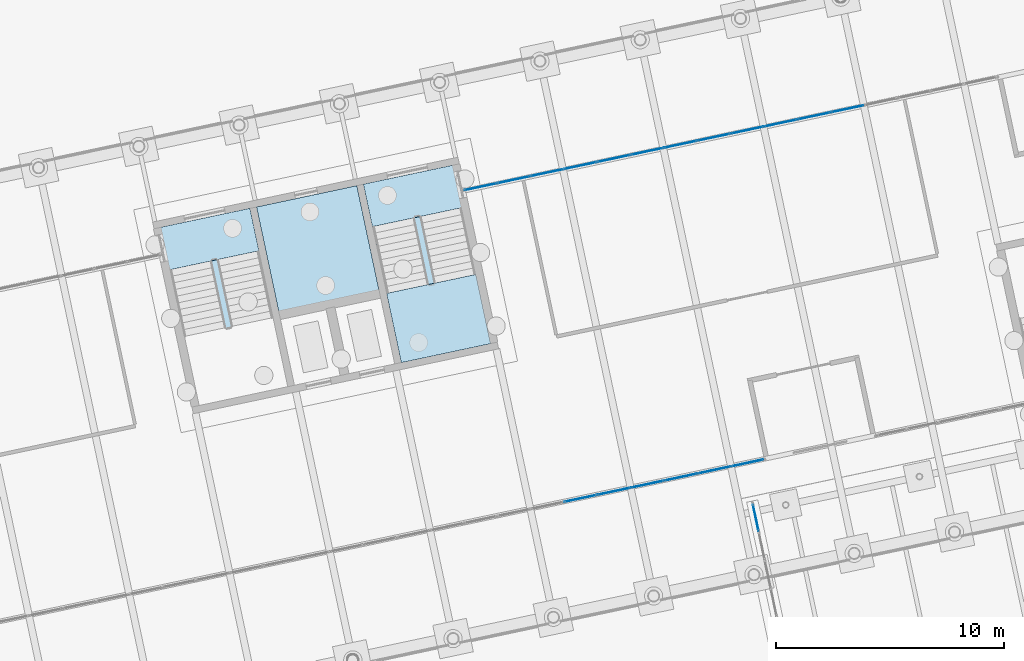
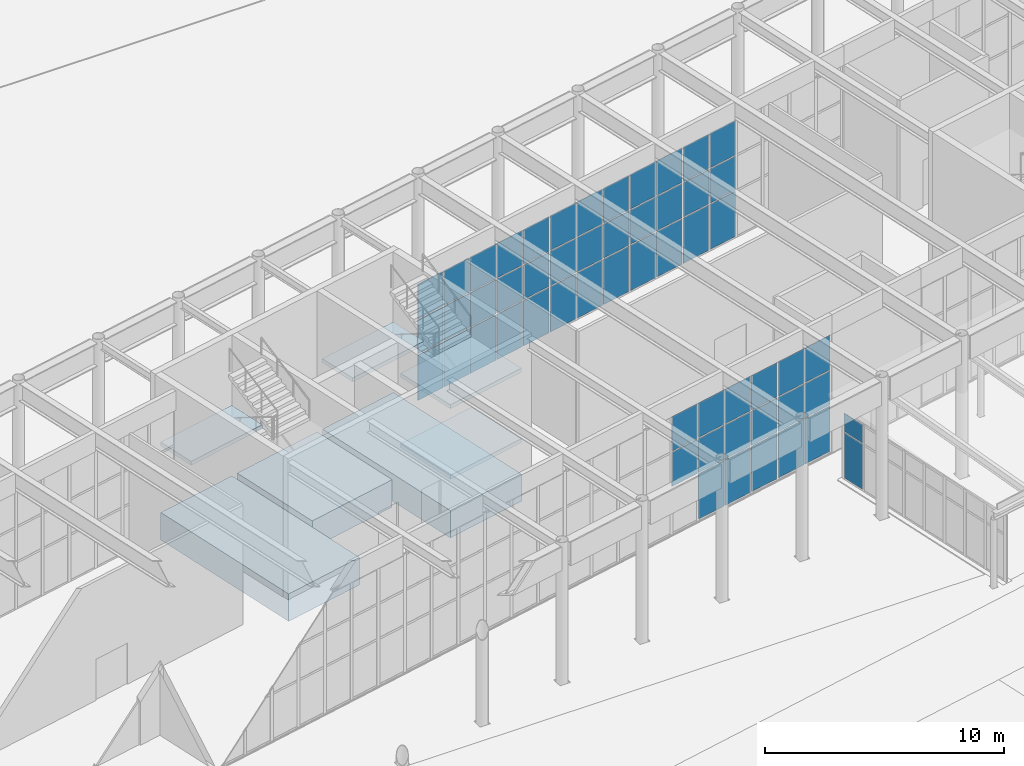
# One storey, part 142 of 239: 55 plates, 7 slabs, 5 elements without a shape of their own.
"""IFC4 building model written with IfcOpenShell, lengths in metres."""

from ifc_helpers import new_model, si_unit, direction, frame, origin, origin_2d, place, context, subcontext, project, spatial, polyline, rectangle, outline, extrude, material, layer, layer_set, type_object, element, aggregate, save


model = new_model("IFC4")

# Units and contexts
model_context = context("Model", 3, precision=1e-05, world=origin(), true_north=direction((0.0, 1.0)))
body_context = subcontext(model_context, "Body", "Model", "MODEL_VIEW")
ifc_project = project(units=[si_unit("LENGTHUNIT", "METRE"), si_unit("AREAUNIT", "SQUARE_METRE"), si_unit("VOLUMEUNIT", "CUBIC_METRE"), si_unit("PLANEANGLEUNIT", "RADIAN"), si_unit("MASSUNIT", "GRAM", prefix="KILO")], contexts=[model_context])

# Site, building, storey
site_placement = place(None, origin())
site = spatial("IfcSite", under=ifc_project, at=site_placement, CompositionType="ELEMENT")
building_placement = place(site_placement, origin())
building = spatial("IfcBuilding", under=site, at=building_placement, Name="Okhra Congress Centre", CompositionType="ELEMENT")
storey_placement = place(building_placement, origin())
storey = spatial("IfcBuildingStorey", under=building, at=storey_placement, Name="L00", CompositionType="ELEMENT", Elevation=0.0)

# Curtain wall, plates
ifc_material_1 = material(Name="Aluminium curtain wall, triple glazing", Category="aluminium")
curtain_wall_type_1 = type_object("IfcCurtainWallType", Name="Curtain wall 1500 module", PredefinedType="NOTDEFINED", material=ifc_material_1)
curtain_wall_1_placement = place(storey_placement, origin())
curtain_wall_1 = element("IfcCurtainWall", 1, at=curtain_wall_1_placement, inside=storey, type_object=curtain_wall_type_1, Name="Ground curtain wall S2", PredefinedType="NOTDEFINED")
ifc_material_2 = material(Name="Triple glazing unit, low-e coating, argon fill", Category="glass")
ifc_layer_1 = layer(ifc_material_2, 0.028076171875)
ifc_layer_set_1 = layer_set([ifc_layer_1], Name="Curtain wall glazing unit 28")
plate_type = type_object("IfcPlateType", Name="Curtain wall glazing unit 28", PredefinedType="CURTAIN_PANEL", material=ifc_layer_set_1)
plate_1_placement = place(storey_placement, frame((115.0224609375, 43.253173828125, 2.43017578125), z_axis=(0.0, 0.0, 1.0), x_axis=(0.978147600734, 0.207911690818, 0.0)))
plate_1 = element("IfcPlate", 2, at=plate_1_placement, type_object=plate_type, Name="CW7 panel 18.2", PredefinedType="CURTAIN_PANEL", context=body_context, shape_type="SweptSolid", body=[
    extrude(rectangle(XDim=1.43994140625, YDim=0.028076171875, at=origin_2d()), origin(), (0.0, 0.0, 1.0), 1.739990234375),
])
plate_2_placement = place(storey_placement, frame((115.0224609375, 43.253173828125, 4.22998046875), z_axis=(0.0, 0.0, 1.0), x_axis=(0.978147600734, 0.207911690818, 0.0)))
plate_2 = element("IfcPlate", 3, at=plate_2_placement, type_object=plate_type, Name="CW7 panel 18.3", PredefinedType="CURTAIN_PANEL", context=body_context, shape_type="SweptSolid", body=[
    extrude(rectangle(XDim=1.43994140625, YDim=0.028076171875, at=origin_2d()), origin(), (0.0, 0.0, 1.0), 1.760009765625),
])
plate_3_placement = place(storey_placement, frame((116.489501953125, 43.56494140625, 0.06005859375), z_axis=(0.0, 0.0, 1.0), x_axis=(0.978147600734, 0.207911690818, 0.0)))
plate_3 = element("IfcPlate", 4, at=plate_3_placement, type_object=plate_type, Name="CW7 panel 19.1", PredefinedType="CURTAIN_PANEL", context=body_context, shape_type="SweptSolid", body=[
    extrude(rectangle(XDim=1.43994140625, YDim=0.028076171875, at=origin_2d()), origin(), (0.0, 0.0, 1.0), 2.31005859375),
])
plate_4_placement = place(storey_placement, frame((116.489501953125, 43.56494140625, 2.43017578125), z_axis=(0.0, 0.0, 1.0), x_axis=(0.978147600734, 0.207911690818, 0.0)))
plate_4 = element("IfcPlate", 5, at=plate_4_placement, type_object=plate_type, Name="CW7 panel 19.2", PredefinedType="CURTAIN_PANEL", context=body_context, shape_type="SweptSolid", body=[
    extrude(rectangle(XDim=1.43994140625, YDim=0.028076171875, at=origin_2d()), origin(), (0.0, 0.0, 1.0), 1.739990234375),
])
plate_5_placement = place(storey_placement, frame((116.489501953125, 43.56494140625, 4.22998046875), z_axis=(0.0, 0.0, 1.0), x_axis=(0.978147600734, 0.207911690818, 0.0)))
plate_5 = element("IfcPlate", 6, at=plate_5_placement, type_object=plate_type, Name="CW7 panel 19.3", PredefinedType="CURTAIN_PANEL", context=body_context, shape_type="SweptSolid", body=[
    extrude(rectangle(XDim=1.43994140625, YDim=0.028076171875, at=origin_2d()), origin(), (0.0, 0.0, 1.0), 1.760009765625),
])
plate_6_placement = place(storey_placement, frame((117.956787109375, 43.876953125, 0.06005859375), z_axis=(0.0, 0.0, 1.0), x_axis=(0.978147600734, 0.207911690818, 0.0)))
plate_6 = element("IfcPlate", 7, at=plate_6_placement, type_object=plate_type, Name="CW7 panel 20.1", PredefinedType="CURTAIN_PANEL", context=body_context, shape_type="SweptSolid", body=[
    extrude(rectangle(XDim=1.43994140625, YDim=0.028076171875, at=origin_2d()), origin(), (0.0, 0.0, 1.0), 2.31005859375),
])
plate_7_placement = place(storey_placement, frame((117.956787109375, 43.876953125, 2.43017578125), z_axis=(0.0, 0.0, 1.0), x_axis=(0.978147600734, 0.207911690818, 0.0)))
plate_7 = element("IfcPlate", 8, at=plate_7_placement, type_object=plate_type, Name="CW7 panel 20.2", PredefinedType="CURTAIN_PANEL", context=body_context, shape_type="SweptSolid", body=[
    extrude(rectangle(XDim=1.43994140625, YDim=0.028076171875, at=origin_2d()), origin(), (0.0, 0.0, 1.0), 1.739990234375),
])
plate_8_placement = place(storey_placement, frame((117.956787109375, 43.876953125, 4.22998046875), z_axis=(0.0, 0.0, 1.0), x_axis=(0.978147600734, 0.207911690818, 0.0)))
plate_8 = element("IfcPlate", 9, at=plate_8_placement, type_object=plate_type, Name="CW7 panel 20.3", PredefinedType="CURTAIN_PANEL", context=body_context, shape_type="SweptSolid", body=[
    extrude(rectangle(XDim=1.43994140625, YDim=0.028076171875, at=origin_2d()), origin(), (0.0, 0.0, 1.0), 1.760009765625),
])
plate_9_placement = place(storey_placement, frame((119.424072265625, 44.188720703125, 0.06005859375), z_axis=(0.0, 0.0, 1.0), x_axis=(0.978147600734, 0.207911690818, 0.0)))
plate_9 = element("IfcPlate", 10, at=plate_9_placement, type_object=plate_type, Name="CW7 panel 21.1", PredefinedType="CURTAIN_PANEL", context=body_context, shape_type="SweptSolid", body=[
    extrude(rectangle(XDim=1.43994140625, YDim=0.028076171875, at=origin_2d()), origin(), (0.0, 0.0, 1.0), 2.31005859375),
])
plate_10_placement = place(storey_placement, frame((119.424072265625, 44.188720703125, 2.43017578125), z_axis=(0.0, 0.0, 1.0), x_axis=(0.978147600734, 0.207911690818, 0.0)))
plate_10 = element("IfcPlate", 11, at=plate_10_placement, type_object=plate_type, Name="CW7 panel 21.2", PredefinedType="CURTAIN_PANEL", context=body_context, shape_type="SweptSolid", body=[
    extrude(rectangle(XDim=1.43994140625, YDim=0.028076171875, at=origin_2d()), origin(), (0.0, 0.0, 1.0), 1.739990234375),
])
plate_11_placement = place(storey_placement, frame((119.424072265625, 44.188720703125, 4.22998046875), z_axis=(0.0, 0.0, 1.0), x_axis=(0.978147600734, 0.207911690818, 0.0)))
plate_11 = element("IfcPlate", 12, at=plate_11_placement, type_object=plate_type, Name="CW7 panel 21.3", PredefinedType="CURTAIN_PANEL", context=body_context, shape_type="SweptSolid", body=[
    extrude(rectangle(XDim=1.43994140625, YDim=0.028076171875, at=origin_2d()), origin(), (0.0, 0.0, 1.0), 1.760009765625),
])
plate_12_placement = place(storey_placement, frame((120.891357421875, 44.500732421875, 0.06005859375), z_axis=(0.0, 0.0, 1.0), x_axis=(0.978147600734, 0.207911690818, 0.0)))
plate_12 = element("IfcPlate", 13, at=plate_12_placement, type_object=plate_type, Name="CW7 panel 22.1", PredefinedType="CURTAIN_PANEL", context=body_context, shape_type="SweptSolid", body=[
    extrude(rectangle(XDim=1.43994140625, YDim=0.028076171875, at=origin_2d()), origin(), (0.0, 0.0, 1.0), 2.31005859375),
])
plate_13_placement = place(storey_placement, frame((120.891357421875, 44.500732421875, 2.43017578125), z_axis=(0.0, 0.0, 1.0), x_axis=(0.978147600734, 0.207911690818, 0.0)))
plate_13 = element("IfcPlate", 14, at=plate_13_placement, type_object=plate_type, Name="CW7 panel 22.2", PredefinedType="CURTAIN_PANEL", context=body_context, shape_type="SweptSolid", body=[
    extrude(rectangle(XDim=1.43994140625, YDim=0.028076171875, at=origin_2d()), origin(), (0.0, 0.0, 1.0), 1.739990234375),
])
plate_14_placement = place(storey_placement, frame((120.891357421875, 44.500732421875, 4.22998046875), z_axis=(0.0, 0.0, 1.0), x_axis=(0.978147600734, 0.207911690818, 0.0)))
plate_14 = element("IfcPlate", 15, at=plate_14_placement, type_object=plate_type, Name="CW7 panel 22.3", PredefinedType="CURTAIN_PANEL", context=body_context, shape_type="SweptSolid", body=[
    extrude(rectangle(XDim=1.43994140625, YDim=0.028076171875, at=origin_2d()), origin(), (0.0, 0.0, 1.0), 1.760009765625),
])
plate_15_placement = place(storey_placement, frame((122.34375, 44.809326171875, 0.06005859375), z_axis=(0.0, 0.0, 1.0), x_axis=(0.978147600734, 0.207911690818, 0.0)))
plate_15 = element("IfcPlate", 16, at=plate_15_placement, type_object=plate_type, Name="CW7 panel 23.1", PredefinedType="CURTAIN_PANEL", context=body_context, shape_type="SweptSolid", body=[
    extrude(rectangle(XDim=1.409912109375, YDim=0.028076171875, at=origin_2d()), origin(), (0.0, 0.0, 1.0), 2.31005859375),
])
plate_16_placement = place(storey_placement, frame((122.34375, 44.809326171875, 2.43017578125), z_axis=(0.0, 0.0, 1.0), x_axis=(0.978147600734, 0.207911690818, 0.0)))
plate_16 = element("IfcPlate", 17, at=plate_16_placement, type_object=plate_type, Name="CW7 panel 23.2", PredefinedType="CURTAIN_PANEL", context=body_context, shape_type="SweptSolid", body=[
    extrude(rectangle(XDim=1.409912109375, YDim=0.028076171875, at=origin_2d()), origin(), (0.0, 0.0, 1.0), 1.739990234375),
])
plate_17_placement = place(storey_placement, frame((122.34375, 44.809326171875, 4.22998046875), z_axis=(0.0, 0.0, 1.0), x_axis=(0.978147600734, 0.207911690818, 0.0)))
plate_17 = element("IfcPlate", 18, at=plate_17_placement, type_object=plate_type, Name="CW7 panel 23.3", PredefinedType="CURTAIN_PANEL", context=body_context, shape_type="SweptSolid", body=[
    extrude(rectangle(XDim=1.409912109375, YDim=0.028076171875, at=origin_2d()), origin(), (0.0, 0.0, 1.0), 1.760009765625),
])
aggregate(curtain_wall_1, [plate_1, plate_2, plate_3, plate_4, plate_5, plate_6, plate_7, plate_8, plate_9, plate_10, plate_11, plate_12, plate_13, plate_14, plate_15, plate_16, plate_17])

curtain_wall_2_placement = place(storey_placement, origin())
curtain_wall_2 = element("IfcCurtainWall", 19, at=curtain_wall_2_placement, inside=storey, type_object=curtain_wall_type_1, Name="Ground curtain wall N8", PredefinedType="NOTDEFINED")
plate_18_placement = place(storey_placement, frame((110.63671875, 56.93017578125, 0.06005859375), z_axis=(0.0, 0.0, 1.0), x_axis=(0.978147600734, 0.207911690818, 0.0)))
plate_18 = element("IfcPlate", 20, at=plate_18_placement, type_object=plate_type, Name="CW7 panel 1.1", PredefinedType="CURTAIN_PANEL", context=body_context, shape_type="SweptSolid", body=[
    extrude(rectangle(XDim=1.407470703125, YDim=0.028076171875, at=origin_2d()), origin(), (0.0, 0.0, 1.0), 2.31005859375),
])
plate_19_placement = place(storey_placement, frame((110.63671875, 56.93017578125, 2.43017578125), z_axis=(0.0, 0.0, 1.0), x_axis=(0.978147600734, 0.207911690818, 0.0)))
plate_19 = element("IfcPlate", 21, at=plate_19_placement, type_object=plate_type, Name="CW7 panel 1.2", PredefinedType="CURTAIN_PANEL", context=body_context, shape_type="SweptSolid", body=[
    extrude(rectangle(XDim=1.407470703125, YDim=0.028076171875, at=origin_2d()), origin(), (0.0, 0.0, 1.0), 1.739990234375),
])
plate_20_placement = place(storey_placement, frame((110.63671875, 56.93017578125, 4.22998046875), z_axis=(0.0, 0.0, 1.0), x_axis=(0.978147600734, 0.207911690818, 0.0)))
plate_20 = element("IfcPlate", 22, at=plate_20_placement, type_object=plate_type, Name="CW7 panel 1.3", PredefinedType="CURTAIN_PANEL", context=body_context, shape_type="SweptSolid", body=[
    extrude(rectangle(XDim=1.407470703125, YDim=0.028076171875, at=origin_2d()), origin(), (0.0, 0.0, 1.0), 1.760009765625),
])
plate_21_placement = place(storey_placement, frame((112.086669921875, 57.238525390625, 0.06005859375), z_axis=(0.0, 0.0, 1.0), x_axis=(0.978147600734, 0.207911690818, 0.0)))
plate_21 = element("IfcPlate", 23, at=plate_21_placement, type_object=plate_type, Name="CW7 panel 2.1", PredefinedType="CURTAIN_PANEL", context=body_context, shape_type="SweptSolid", body=[
    extrude(rectangle(XDim=1.4375, YDim=0.028076171875, at=origin_2d()), origin(), (0.0, 0.0, 1.0), 2.31005859375),
])
plate_22_placement = place(storey_placement, frame((112.086669921875, 57.238525390625, 2.43017578125), z_axis=(0.0, 0.0, 1.0), x_axis=(0.978147600734, 0.207911690818, 0.0)))
plate_22 = element("IfcPlate", 24, at=plate_22_placement, type_object=plate_type, Name="CW7 panel 2.2", PredefinedType="CURTAIN_PANEL", context=body_context, shape_type="SweptSolid", body=[
    extrude(rectangle(XDim=1.4375, YDim=0.028076171875, at=origin_2d()), origin(), (0.0, 0.0, 1.0), 1.739990234375),
])
plate_23_placement = place(storey_placement, frame((112.086669921875, 57.238525390625, 4.22998046875), z_axis=(0.0, 0.0, 1.0), x_axis=(0.978147600734, 0.207911690818, 0.0)))
plate_23 = element("IfcPlate", 25, at=plate_23_placement, type_object=plate_type, Name="CW7 panel 2.3", PredefinedType="CURTAIN_PANEL", context=body_context, shape_type="SweptSolid", body=[
    extrude(rectangle(XDim=1.4375, YDim=0.028076171875, at=origin_2d()), origin(), (0.0, 0.0, 1.0), 1.760009765625),
])
plate_24_placement = place(storey_placement, frame((113.551513671875, 57.5498046875, 0.06005859375), z_axis=(0.0, 0.0, 1.0), x_axis=(0.978147600734, 0.207911690818, 0.0)))
plate_24 = element("IfcPlate", 26, at=plate_24_placement, type_object=plate_type, Name="CW7 panel 3.1", PredefinedType="CURTAIN_PANEL", context=body_context, shape_type="SweptSolid", body=[
    extrude(rectangle(XDim=1.4375, YDim=0.028076171875, at=origin_2d()), origin(), (0.0, 0.0, 1.0), 2.31005859375),
])
plate_25_placement = place(storey_placement, frame((113.551513671875, 57.5498046875, 2.43017578125), z_axis=(0.0, 0.0, 1.0), x_axis=(0.978147600734, 0.207911690818, 0.0)))
plate_25 = element("IfcPlate", 27, at=plate_25_placement, type_object=plate_type, Name="CW7 panel 3.2", PredefinedType="CURTAIN_PANEL", context=body_context, shape_type="SweptSolid", body=[
    extrude(rectangle(XDim=1.4375, YDim=0.028076171875, at=origin_2d()), origin(), (0.0, 0.0, 1.0), 1.739990234375),
])
plate_26_placement = place(storey_placement, frame((113.551513671875, 57.5498046875, 4.22998046875), z_axis=(0.0, 0.0, 1.0), x_axis=(0.978147600734, 0.207911690818, 0.0)))
plate_26 = element("IfcPlate", 28, at=plate_26_placement, type_object=plate_type, Name="CW7 panel 3.3", PredefinedType="CURTAIN_PANEL", context=body_context, shape_type="SweptSolid", body=[
    extrude(rectangle(XDim=1.4375, YDim=0.028076171875, at=origin_2d()), origin(), (0.0, 0.0, 1.0), 1.760009765625),
])
plate_27_placement = place(storey_placement, frame((115.016357421875, 57.861083984375, 0.06005859375), z_axis=(0.0, 0.0, 1.0), x_axis=(0.978147600734, 0.207911690818, 0.0)))
plate_27 = element("IfcPlate", 29, at=plate_27_placement, type_object=plate_type, Name="CW7 panel 4.1", PredefinedType="CURTAIN_PANEL", context=body_context, shape_type="SweptSolid", body=[
    extrude(rectangle(XDim=1.4375, YDim=0.028076171875, at=origin_2d()), origin(), (0.0, 0.0, 1.0), 2.31005859375),
])
plate_28_placement = place(storey_placement, frame((115.016357421875, 57.861083984375, 2.43017578125), z_axis=(0.0, 0.0, 1.0), x_axis=(0.978147600734, 0.207911690818, 0.0)))
plate_28 = element("IfcPlate", 30, at=plate_28_placement, type_object=plate_type, Name="CW7 panel 4.2", PredefinedType="CURTAIN_PANEL", context=body_context, shape_type="SweptSolid", body=[
    extrude(rectangle(XDim=1.4375, YDim=0.028076171875, at=origin_2d()), origin(), (0.0, 0.0, 1.0), 1.739990234375),
])
plate_29_placement = place(storey_placement, frame((115.016357421875, 57.861083984375, 4.22998046875), z_axis=(0.0, 0.0, 1.0), x_axis=(0.978147600734, 0.207911690818, 0.0)))
plate_29 = element("IfcPlate", 31, at=plate_29_placement, type_object=plate_type, Name="CW7 panel 4.3", PredefinedType="CURTAIN_PANEL", context=body_context, shape_type="SweptSolid", body=[
    extrude(rectangle(XDim=1.4375, YDim=0.028076171875, at=origin_2d()), origin(), (0.0, 0.0, 1.0), 1.760009765625),
])
plate_30_placement = place(storey_placement, frame((116.481201171875, 58.172607421875, 0.06005859375), z_axis=(0.0, 0.0, 1.0), x_axis=(0.978147600734, 0.207911690818, 0.0)))
plate_30 = element("IfcPlate", 32, at=plate_30_placement, type_object=plate_type, Name="CW7 panel 5.1", PredefinedType="CURTAIN_PANEL", context=body_context, shape_type="SweptSolid", body=[
    extrude(rectangle(XDim=1.4375, YDim=0.028076171875, at=origin_2d()), origin(), (0.0, 0.0, 1.0), 2.31005859375),
])
plate_31_placement = place(storey_placement, frame((116.481201171875, 58.172607421875, 2.43017578125), z_axis=(0.0, 0.0, 1.0), x_axis=(0.978147600734, 0.207911690818, 0.0)))
plate_31 = element("IfcPlate", 33, at=plate_31_placement, type_object=plate_type, Name="CW7 panel 5.2", PredefinedType="CURTAIN_PANEL", context=body_context, shape_type="SweptSolid", body=[
    extrude(rectangle(XDim=1.4375, YDim=0.028076171875, at=origin_2d()), origin(), (0.0, 0.0, 1.0), 1.739990234375),
])
plate_32_placement = place(storey_placement, frame((116.481201171875, 58.172607421875, 4.22998046875), z_axis=(0.0, 0.0, 1.0), x_axis=(0.978147600734, 0.207911690818, 0.0)))
plate_32 = element("IfcPlate", 34, at=plate_32_placement, type_object=plate_type, Name="CW7 panel 5.3", PredefinedType="CURTAIN_PANEL", context=body_context, shape_type="SweptSolid", body=[
    extrude(rectangle(XDim=1.4375, YDim=0.028076171875, at=origin_2d()), origin(), (0.0, 0.0, 1.0), 1.760009765625),
])
plate_33_placement = place(storey_placement, frame((117.94580078125, 58.48388671875, 0.06005859375), z_axis=(0.0, 0.0, 1.0), x_axis=(0.978147600734, 0.207911690818, 0.0)))
plate_33 = element("IfcPlate", 35, at=plate_33_placement, type_object=plate_type, Name="CW7 panel 6.1", PredefinedType="CURTAIN_PANEL", context=body_context, shape_type="SweptSolid", body=[
    extrude(rectangle(XDim=1.4375, YDim=0.028076171875, at=origin_2d()), origin(), (0.0, 0.0, 1.0), 2.31005859375),
])
plate_34_placement = place(storey_placement, frame((117.94580078125, 58.48388671875, 2.43017578125), z_axis=(0.0, 0.0, 1.0), x_axis=(0.978147600734, 0.207911690818, 0.0)))
plate_34 = element("IfcPlate", 36, at=plate_34_placement, type_object=plate_type, Name="CW7 panel 6.2", PredefinedType="CURTAIN_PANEL", context=body_context, shape_type="SweptSolid", body=[
    extrude(rectangle(XDim=1.4375, YDim=0.028076171875, at=origin_2d()), origin(), (0.0, 0.0, 1.0), 1.739990234375),
])
plate_35_placement = place(storey_placement, frame((117.94580078125, 58.48388671875, 4.22998046875), z_axis=(0.0, 0.0, 1.0), x_axis=(0.978147600734, 0.207911690818, 0.0)))
plate_35 = element("IfcPlate", 37, at=plate_35_placement, type_object=plate_type, Name="CW7 panel 6.3", PredefinedType="CURTAIN_PANEL", context=body_context, shape_type="SweptSolid", body=[
    extrude(rectangle(XDim=1.4375, YDim=0.028076171875, at=origin_2d()), origin(), (0.0, 0.0, 1.0), 1.760009765625),
])
plate_36_placement = place(storey_placement, frame((119.41064453125, 58.795166015625, 0.06005859375), z_axis=(0.0, 0.0, 1.0), x_axis=(0.978147600734, 0.207911690818, 0.0)))
plate_36 = element("IfcPlate", 38, at=plate_36_placement, type_object=plate_type, Name="CW7 panel 7.1", PredefinedType="CURTAIN_PANEL", context=body_context, shape_type="SweptSolid", body=[
    extrude(rectangle(XDim=1.4375, YDim=0.028076171875, at=origin_2d()), origin(), (0.0, 0.0, 1.0), 2.31005859375),
])
plate_37_placement = place(storey_placement, frame((119.41064453125, 58.795166015625, 2.43017578125), z_axis=(0.0, 0.0, 1.0), x_axis=(0.978147600734, 0.207911690818, 0.0)))
plate_37 = element("IfcPlate", 39, at=plate_37_placement, type_object=plate_type, Name="CW7 panel 7.2", PredefinedType="CURTAIN_PANEL", context=body_context, shape_type="SweptSolid", body=[
    extrude(rectangle(XDim=1.4375, YDim=0.028076171875, at=origin_2d()), origin(), (0.0, 0.0, 1.0), 1.739990234375),
])
plate_38_placement = place(storey_placement, frame((119.41064453125, 58.795166015625, 4.22998046875), z_axis=(0.0, 0.0, 1.0), x_axis=(0.978147600734, 0.207911690818, 0.0)))
plate_38 = element("IfcPlate", 40, at=plate_38_placement, type_object=plate_type, Name="CW7 panel 7.3", PredefinedType="CURTAIN_PANEL", context=body_context, shape_type="SweptSolid", body=[
    extrude(rectangle(XDim=1.4375, YDim=0.028076171875, at=origin_2d()), origin(), (0.0, 0.0, 1.0), 1.760009765625),
])
plate_39_placement = place(storey_placement, frame((120.87548828125, 59.1064453125, 0.06005859375), z_axis=(0.0, 0.0, 1.0), x_axis=(0.978147600734, 0.207911690818, 0.0)))
plate_39 = element("IfcPlate", 41, at=plate_39_placement, type_object=plate_type, Name="CW7 panel 8.1", PredefinedType="CURTAIN_PANEL", context=body_context, shape_type="SweptSolid", body=[
    extrude(rectangle(XDim=1.4375, YDim=0.028076171875, at=origin_2d()), origin(), (0.0, 0.0, 1.0), 2.31005859375),
])
plate_40_placement = place(storey_placement, frame((120.87548828125, 59.1064453125, 2.43017578125), z_axis=(0.0, 0.0, 1.0), x_axis=(0.978147600734, 0.207911690818, 0.0)))
plate_40 = element("IfcPlate", 42, at=plate_40_placement, type_object=plate_type, Name="CW7 panel 8.2", PredefinedType="CURTAIN_PANEL", context=body_context, shape_type="SweptSolid", body=[
    extrude(rectangle(XDim=1.4375, YDim=0.028076171875, at=origin_2d()), origin(), (0.0, 0.0, 1.0), 1.739990234375),
])
plate_41_placement = place(storey_placement, frame((120.87548828125, 59.1064453125, 4.22998046875), z_axis=(0.0, 0.0, 1.0), x_axis=(0.978147600734, 0.207911690818, 0.0)))
plate_41 = element("IfcPlate", 43, at=plate_41_placement, type_object=plate_type, Name="CW7 panel 8.3", PredefinedType="CURTAIN_PANEL", context=body_context, shape_type="SweptSolid", body=[
    extrude(rectangle(XDim=1.4375, YDim=0.028076171875, at=origin_2d()), origin(), (0.0, 0.0, 1.0), 1.760009765625),
])
plate_42_placement = place(storey_placement, frame((122.34033203125, 59.41796875, 0.06005859375), z_axis=(0.0, 0.0, 1.0), x_axis=(0.978147600734, 0.207911690818, 0.0)))
plate_42 = element("IfcPlate", 44, at=plate_42_placement, type_object=plate_type, Name="CW7 panel 9.1", PredefinedType="CURTAIN_PANEL", context=body_context, shape_type="SweptSolid", body=[
    extrude(rectangle(XDim=1.4375, YDim=0.028076171875, at=origin_2d()), origin(), (0.0, 0.0, 1.0), 2.31005859375),
])
plate_43_placement = place(storey_placement, frame((122.34033203125, 59.41796875, 2.43017578125), z_axis=(0.0, 0.0, 1.0), x_axis=(0.978147600734, 0.207911690818, 0.0)))
plate_43 = element("IfcPlate", 45, at=plate_43_placement, type_object=plate_type, Name="CW7 panel 9.2", PredefinedType="CURTAIN_PANEL", context=body_context, shape_type="SweptSolid", body=[
    extrude(rectangle(XDim=1.4375, YDim=0.028076171875, at=origin_2d()), origin(), (0.0, 0.0, 1.0), 1.739990234375),
])
plate_44_placement = place(storey_placement, frame((122.34033203125, 59.41796875, 4.22998046875), z_axis=(0.0, 0.0, 1.0), x_axis=(0.978147600734, 0.207911690818, 0.0)))
plate_44 = element("IfcPlate", 46, at=plate_44_placement, type_object=plate_type, Name="CW7 panel 9.3", PredefinedType="CURTAIN_PANEL", context=body_context, shape_type="SweptSolid", body=[
    extrude(rectangle(XDim=1.4375, YDim=0.028076171875, at=origin_2d()), origin(), (0.0, 0.0, 1.0), 1.760009765625),
])
plate_45_placement = place(storey_placement, frame((123.804931640625, 59.729248046875, 0.06005859375), z_axis=(0.0, 0.0, 1.0), x_axis=(0.978147600734, 0.207911690818, 0.0)))
plate_45 = element("IfcPlate", 47, at=plate_45_placement, type_object=plate_type, Name="CW7 panel 10.1", PredefinedType="CURTAIN_PANEL", context=body_context, shape_type="SweptSolid", body=[
    extrude(rectangle(XDim=1.4375, YDim=0.028076171875, at=origin_2d()), origin(), (0.0, 0.0, 1.0), 2.31005859375),
])
plate_46_placement = place(storey_placement, frame((123.804931640625, 59.729248046875, 2.43017578125), z_axis=(0.0, 0.0, 1.0), x_axis=(0.978147600734, 0.207911690818, 0.0)))
plate_46 = element("IfcPlate", 48, at=plate_46_placement, type_object=plate_type, Name="CW7 panel 10.2", PredefinedType="CURTAIN_PANEL", context=body_context, shape_type="SweptSolid", body=[
    extrude(rectangle(XDim=1.4375, YDim=0.028076171875, at=origin_2d()), origin(), (0.0, 0.0, 1.0), 1.739990234375),
])
plate_47_placement = place(storey_placement, frame((123.804931640625, 59.729248046875, 4.22998046875), z_axis=(0.0, 0.0, 1.0), x_axis=(0.978147600734, 0.207911690818, 0.0)))
plate_47 = element("IfcPlate", 49, at=plate_47_placement, type_object=plate_type, Name="CW7 panel 10.3", PredefinedType="CURTAIN_PANEL", context=body_context, shape_type="SweptSolid", body=[
    extrude(rectangle(XDim=1.4375, YDim=0.028076171875, at=origin_2d()), origin(), (0.0, 0.0, 1.0), 1.760009765625),
])
plate_48_placement = place(storey_placement, frame((125.269775390625, 60.04052734375, 0.06005859375), z_axis=(0.0, 0.0, 1.0), x_axis=(0.978147600734, 0.207911690818, 0.0)))
plate_48 = element("IfcPlate", 50, at=plate_48_placement, type_object=plate_type, Name="CW7 panel 11.1", PredefinedType="CURTAIN_PANEL", context=body_context, shape_type="SweptSolid", body=[
    extrude(rectangle(XDim=1.4375, YDim=0.028076171875, at=origin_2d()), origin(), (0.0, 0.0, 1.0), 2.31005859375),
])
plate_49_placement = place(storey_placement, frame((125.269775390625, 60.04052734375, 2.43017578125), z_axis=(0.0, 0.0, 1.0), x_axis=(0.978147600734, 0.207911690818, 0.0)))
plate_49 = element("IfcPlate", 51, at=plate_49_placement, type_object=plate_type, Name="CW7 panel 11.2", PredefinedType="CURTAIN_PANEL", context=body_context, shape_type="SweptSolid", body=[
    extrude(rectangle(XDim=1.4375, YDim=0.028076171875, at=origin_2d()), origin(), (0.0, 0.0, 1.0), 1.739990234375),
])
plate_50_placement = place(storey_placement, frame((125.269775390625, 60.04052734375, 4.22998046875), z_axis=(0.0, 0.0, 1.0), x_axis=(0.978147600734, 0.207911690818, 0.0)))
plate_50 = element("IfcPlate", 52, at=plate_50_placement, type_object=plate_type, Name="CW7 panel 11.3", PredefinedType="CURTAIN_PANEL", context=body_context, shape_type="SweptSolid", body=[
    extrude(rectangle(XDim=1.4375, YDim=0.028076171875, at=origin_2d()), origin(), (0.0, 0.0, 1.0), 1.760009765625),
])
plate_51_placement = place(storey_placement, frame((126.734619140625, 60.351806640625, 0.06005859375), z_axis=(0.0, 0.0, 1.0), x_axis=(0.978147600734, 0.207911690818, 0.0)))
plate_51 = element("IfcPlate", 53, at=plate_51_placement, type_object=plate_type, Name="CW7 panel 12.1", PredefinedType="CURTAIN_PANEL", context=body_context, shape_type="SweptSolid", body=[
    extrude(rectangle(XDim=1.4375, YDim=0.028076171875, at=origin_2d()), origin(), (0.0, 0.0, 1.0), 2.31005859375),
])
plate_52_placement = place(storey_placement, frame((126.734619140625, 60.351806640625, 2.43017578125), z_axis=(0.0, 0.0, 1.0), x_axis=(0.978147600734, 0.207911690818, 0.0)))
plate_52 = element("IfcPlate", 54, at=plate_52_placement, type_object=plate_type, Name="CW7 panel 12.2", PredefinedType="CURTAIN_PANEL", context=body_context, shape_type="SweptSolid", body=[
    extrude(rectangle(XDim=1.4375, YDim=0.028076171875, at=origin_2d()), origin(), (0.0, 0.0, 1.0), 1.739990234375),
])
plate_53_placement = place(storey_placement, frame((126.734619140625, 60.351806640625, 4.22998046875), z_axis=(0.0, 0.0, 1.0), x_axis=(0.978147600734, 0.207911690818, 0.0)))
plate_53 = element("IfcPlate", 55, at=plate_53_placement, type_object=plate_type, Name="CW7 panel 12.3", PredefinedType="CURTAIN_PANEL", context=body_context, shape_type="SweptSolid", body=[
    extrude(rectangle(XDim=1.4375, YDim=0.028076171875, at=origin_2d()), origin(), (0.0, 0.0, 1.0), 1.760009765625),
])
aggregate(curtain_wall_2, [plate_18, plate_19, plate_20, plate_21, plate_22, plate_23, plate_24, plate_25, plate_26, plate_27, plate_28, plate_29, plate_30, plate_31, plate_32, plate_33, plate_34, plate_35, plate_36, plate_37, plate_38, plate_39, plate_40, plate_41, plate_42, plate_43, plate_44, plate_45, plate_46, plate_47, plate_48, plate_49, plate_50, plate_51, plate_52, plate_53])

curtain_wall_type_2 = type_object("IfcCurtainWallType", Name="Curtain wall 1200 module", PredefinedType="NOTDEFINED", material=ifc_material_1)
curtain_wall_3_placement = place(storey_placement, origin())
curtain_wall_3 = element("IfcCurtainWall", 56, at=curtain_wall_3_placement, inside=storey, type_object=curtain_wall_type_2, Name="Porch glazed side 1", PredefinedType="NOTDEFINED")
plate_54_placement = place(storey_placement, frame((122.71728515625, 42.403564453125, 0.06005859375), z_axis=(0.0, 0.0, 1.0), x_axis=(-0.207911690818, 0.978147600734, 0.0)))
plate_54 = element("IfcPlate", 57, at=plate_54_placement, type_object=plate_type, Name="CW8 panel 8.1", PredefinedType="CURTAIN_PANEL", context=body_context, shape_type="SweptSolid", body=[
    extrude(rectangle(XDim=1.181884765625, YDim=0.028076171875, at=origin_2d()), origin(), (0.0, 0.0, 1.0), 2.31005859375),
])
plate_55_placement = place(storey_placement, frame((122.71728515625, 42.403564453125, 2.429931640625), z_axis=(0.0, 0.0, 1.0), x_axis=(-0.207911690818, 0.978147600734, 0.0)))
plate_55 = element("IfcPlate", 58, at=plate_55_placement, type_object=plate_type, Name="CW8 panel 8.2", PredefinedType="CURTAIN_PANEL", context=body_context, shape_type="SweptSolid", body=[
    extrude(rectangle(XDim=1.181884765625, YDim=0.028076171875, at=origin_2d()), origin(), (0.0, 0.0, 1.0), 0.92578125),
])
aggregate(curtain_wall_3, [plate_54, plate_55])

# Slabs
ifc_material_3 = material(Name="Concrete C35/45", Category="concrete")
ifc_layer_2 = layer(ifc_material_3, 1.39990234375)
ifc_layer_set_2 = layer_set([ifc_layer_2], Name="RC core raft slab 1400 C35/45")
slab_type_1 = type_object("IfcSlabType", Name="RC core raft slab 1400 C35/45", PredefinedType="BASESLAB", material=ifc_layer_set_2)
slab_1_placement = place(storey_placement, frame((0.0, 0.0, -1.39990234375)))
element("IfcSlab", 59, at=slab_1_placement, inside=storey, type_object=slab_type_1, Name="Stair cell raft 2A", PredefinedType="BASESLAB", context=body_context, shape_type="SweptSolid", body=[
    extrude(outline(polyline([(96.595703125, 55.152099609375), (98.259033203125, 47.326904296875), (102.171630859375, 48.158447265625), (100.50830078125, 55.983642578125), (96.595703125, 55.152099609375)])), origin(), (0.0, 0.0, 1.0), 1.39990234375),
])
slab_2_placement = place(storey_placement, frame((0.0, 0.0, -1.39990234375)))
element("IfcSlab", 60, at=slab_2_placement, inside=storey, type_object=slab_type_1, Name="Stair cell raft 2B", PredefinedType="BASESLAB", context=body_context, shape_type="SweptSolid", body=[
    extrude(outline(polyline([(105.496826171875, 57.044189453125), (107.16015625, 49.218994140625), (111.07275390625, 50.050537109375), (109.409423828125, 57.875732421875), (105.496826171875, 57.044189453125)])), origin(), (0.0, 0.0, 1.0), 1.39990234375),
])
slab_3_placement = place(storey_placement, frame((0.0, 0.0, -1.39990234375)))
element("IfcSlab", 61, at=slab_3_placement, inside=storey, type_object=slab_type_1, Name="Riser room raft 2", PredefinedType="BASESLAB", context=body_context, shape_type="SweptSolid", body=[
    extrude(outline(polyline([(101.779052734375, 51.44873046875), (106.1806640625, 52.384521484375), (105.20361328125, 56.981689453125), (100.8017578125, 56.046142578125), (101.779052734375, 51.44873046875)])), origin(), (0.0, 0.0, 1.0), 1.39990234375),
])

# Stair, slab
ifc_material_4 = material(Name="Concrete C30/37", Category="concrete")
stair_type = type_object("IfcStairType", Name="Escape stair 1900 wide, 44 risers of 163.6", PredefinedType="HALF_TURN_STAIR", material=ifc_material_4)
stair_1_placement = place(storey_placement, origin())
stair_1 = element("IfcStair", 62, at=stair_1_placement, inside=storey, type_object=stair_type, Name="L00 Escape stair 2A", PredefinedType="HALF_TURN_STAIR")
ifc_layer_3 = layer(ifc_material_4, 0.199951171875)
ifc_layer_set_3 = layer_set([ifc_layer_3], Name="RC stair landing 200 C30/37")
slab_type_2 = type_object("IfcSlabType", Name="RC stair landing 200 C30/37", PredefinedType="LANDING", material=ifc_layer_set_3)
slab_4_placement = place(storey_placement, frame((0.0, 0.0, 3.39990234375)))
slab_4 = element("IfcSlab", 63, at=slab_4_placement, type_object=slab_type_2, Name="BS2A landing 2", PredefinedType="LANDING", context=body_context, shape_type="SweptSolid", body=[
    extrude(outline(polyline([(96.58984375, 55.156005859375), (100.51220703125, 55.98974609375), (100.909423828125, 54.121337890625), (96.987060546875, 53.28759765625), (96.58984375, 55.156005859375)])), origin(), (0.0, 0.0, 1.0), 0.2001953125),
])
aggregate(stair_1, [slab_4])

# Stair, slabs
stair_2_placement = place(storey_placement, origin())
stair_2 = element("IfcStair", 64, at=stair_2_placement, inside=storey, type_object=stair_type, Name="L00 Escape stair 2B", PredefinedType="HALF_TURN_STAIR")
slab_5_placement = place(storey_placement, frame((0.0, 0.0, 1.60009765625)))
slab_5 = element("IfcSlab", 65, at=slab_5_placement, type_object=slab_type_2, Name="BS2B landing 1", PredefinedType="LANDING", context=body_context, shape_type="SweptSolid", body=[
    extrude(outline(polyline([(106.509765625, 52.255126953125), (110.43212890625, 53.088623046875), (111.078857421875, 50.046630859375), (107.156494140625, 49.212890625), (106.509765625, 52.255126953125)])), origin(), (0.0, 0.0, 1.0), 0.199951171875),
])
slab_6_placement = place(storey_placement, frame((0.0, 0.0, 3.39990234375)))
slab_6 = element("IfcSlab", 66, at=slab_6_placement, type_object=slab_type_2, Name="BS2B landing 2", PredefinedType="LANDING", context=body_context, shape_type="SweptSolid", body=[
    extrude(outline(polyline([(105.490966796875, 57.0478515625), (109.413330078125, 57.881591796875), (109.810546875, 56.013427734375), (105.88818359375, 55.1796875), (105.490966796875, 57.0478515625)])), origin(), (0.0, 0.0, 1.0), 0.2001953125),
])
slab_7_placement = place(storey_placement, frame((0.0, 0.0, 5.199951171875)))
slab_7 = element("IfcSlab", 67, at=slab_7_placement, type_object=slab_type_2, Name="BS2B landing 3", PredefinedType="LANDING", context=body_context, shape_type="SweptSolid", body=[
    extrude(outline(polyline([(106.509765625, 52.255126953125), (110.43212890625, 53.088623046875), (111.078857421875, 50.046630859375), (107.156494140625, 49.212890625), (106.509765625, 52.255126953125)])), origin(), (0.0, 0.0, 1.0), 0.199951171875),
])
aggregate(stair_2, [slab_5, slab_6, slab_7])

save(model, "model.ifc")
